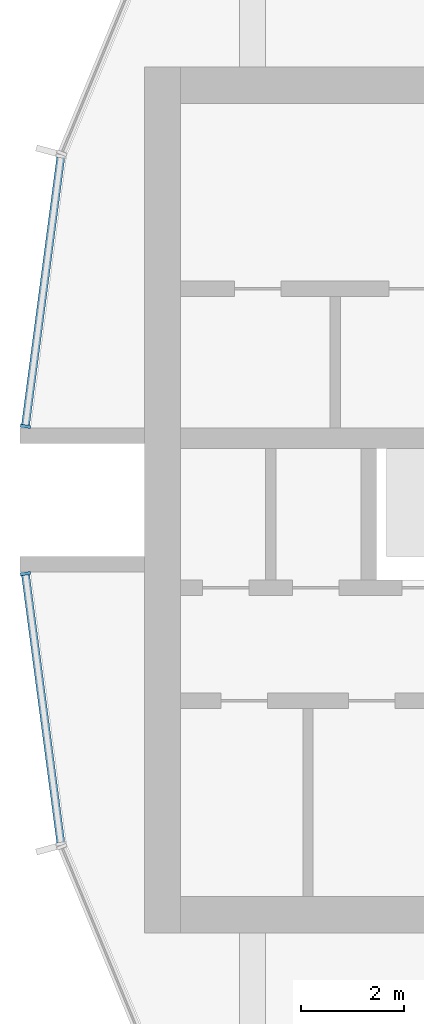
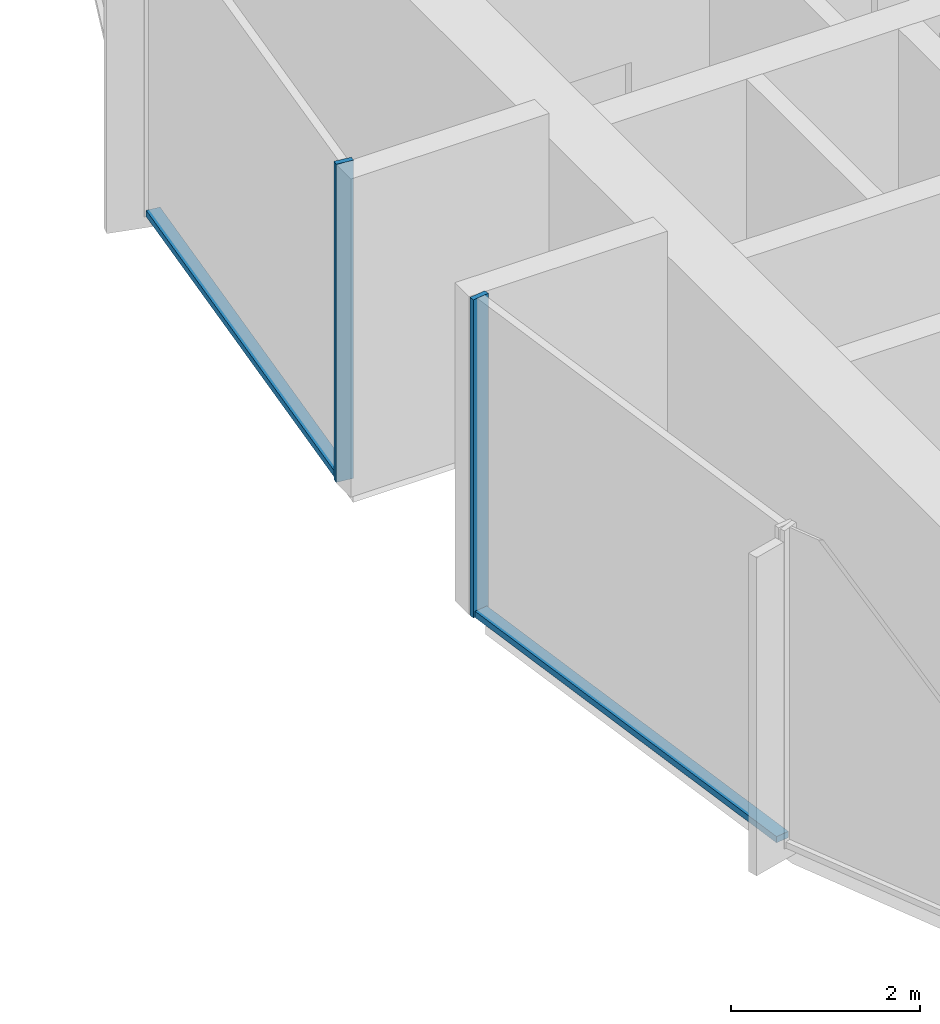
# One storey, part 3 of 15: 4 members, 2 elements without a shape of their own.
"""IFC4 building model written with IfcOpenShell, lengths in metres."""

from ifc_helpers import new_model, si_unit, direction, frame, origin, origin_2d, place, context, subcontext, project, spatial, rectangle, extrude, material, layer, layer_set, material_profile, profile_set, type_object, element, aggregate, save


model = new_model("IFC4")

# Units and contexts
model_context = context("Model", 3, precision=1e-05, world=origin(), true_north=direction((0.0, 1.0)))
body_context = subcontext(model_context, "Body", "Model", "MODEL_VIEW")
ifc_project = project(units=[si_unit("LENGTHUNIT", "METRE"), si_unit("AREAUNIT", "SQUARE_METRE"), si_unit("VOLUMEUNIT", "CUBIC_METRE"), si_unit("PLANEANGLEUNIT", "RADIAN"), si_unit("MASSUNIT", "GRAM", prefix="KILO")], contexts=[model_context])

# Site, building, storey
site_placement = place(None, origin())
site = spatial("IfcSite", under=ifc_project, at=site_placement, CompositionType="ELEMENT")
building_placement = place(site_placement, origin())
building = spatial("IfcBuilding", under=site, at=building_placement, Name="Torre Brocal", CompositionType="ELEMENT")
storey_placement = place(building_placement, frame((0.0, 0.0, 161.800048828125)))
storey = spatial("IfcBuildingStorey", under=building, at=storey_placement, Name="L37", CompositionType="ELEMENT", Elevation=161.800048828125)

# Curtain wall, member
ifc_material_1 = material(Name="Aluminium and glass", Category="aluminium")
ifc_layer = layer(ifc_material_1, 0.199951171875)
ifc_layer_set = layer_set([ifc_layer], Name="Aluminium and glass")
curtain_wall_type = type_object("IfcCurtainWallType", Name="CW-1B CURTAIN WALL 4100 HIGH", PredefinedType="NOTDEFINED", material=ifc_layer_set)
curtain_wall_1_placement = place(storey_placement, origin())
curtain_wall_1 = element("IfcCurtainWall", 1, at=curtain_wall_1_placement, inside=storey, type_object=curtain_wall_type, Name="CW-1B RUN 12", PredefinedType="NOTDEFINED")
ifc_material_2 = material(Name="Aluminium, dark anodised", Category="aluminium")
ifc_material_profile_1 = material_profile(ifc_material_2, rectangle(XDim=0.199951171875, YDim=0.06005859375, at=origin_2d()), Name="CW-1B MULLION 60X200")
ifc_profile_set_1 = profile_set([ifc_material_profile_1], Name="Aluminium, dark anodised")
member_type_1 = type_object("IfcMemberType", Name="CW-1B MULLION 60X200", PredefinedType="MULLION", material=ifc_profile_set_1)
member_1_placement = place(storey_placement, frame((54.2890625, 76.4296875, 0.0), z_axis=(0.0, 0.0, 1.0), x_axis=(0.991444861374, -0.13052619222, 0.0)))
member_1 = element("IfcMember", 2, at=member_1_placement, type_object=member_type_1, Name="CW1B-4 mullion 2", PredefinedType="MULLION", context=body_context, shape_type="SweptSolid", body=[
    extrude(rectangle(XDim=0.199951171875, YDim=0.06005859375, at=origin_2d()), origin(), (0.0, 0.0, 1.0), 4.099853515625),
])

curtain_wall_2_placement = place(storey_placement, origin())
curtain_wall_2 = element("IfcCurtainWall", 3, at=curtain_wall_2_placement, inside=storey, type_object=curtain_wall_type, Name="CW-1B RUN 13", PredefinedType="NOTDEFINED")
member_2_placement = place(storey_placement, frame((54.2890625, 73.5703125, 0.0), z_axis=(0.0, 0.0, 1.0), x_axis=(0.991444861374, 0.13052619222, 0.0)))
member_2 = element("IfcMember", 4, at=member_2_placement, type_object=member_type_1, Name="CW1B-4 mullion 1", PredefinedType="MULLION", context=body_context, shape_type="SweptSolid", body=[
    extrude(rectangle(XDim=0.199951171875, YDim=0.06005859375, at=origin_2d()), origin(), (0.0, 0.0, 1.0), 4.099853515625),
])

# Member
ifc_material_3 = material(Name="Aluminium, dark anodised", Category="aluminium")
ifc_material_profile_2 = material_profile(ifc_material_3, rectangle(XDim=0.159912109375, YDim=0.080078125, at=origin_2d()), Name="CW-1B TRANSOM 160X80")
ifc_profile_set_2 = profile_set([ifc_material_profile_2], Name="Aluminium, dark anodised")
member_type_2 = type_object("IfcMemberType", Name="CW-1B TRANSOM 160X80", PredefinedType="USERDEFINED", material=ifc_profile_set_2)
member_3_placement = place(storey_placement, frame((54.9755859375, 81.643798828125, 0.0400390625), z_axis=(-0.130542677827, -0.991442690863, 0.0), x_axis=(0.991442690863, -0.130542677827, 0.0)))
member_3 = element("IfcMember", 5, at=member_3_placement, type_object=member_type_2, Name="CW1B-4 transom 1.1", ObjectType="TRANSOM", PredefinedType="USERDEFINED", context=body_context, shape_type="SweptSolid", body=[
    extrude(rectangle(XDim=0.159912109375, YDim=0.080078125, at=origin_2d()), origin(), (0.0, 0.0, 1.0), 5.22900390625),
])

aggregate(curtain_wall_1, [member_1, member_3])

member_4_placement = place(storey_placement, frame((54.29296875, 73.54052734375, 0.0400390625), z_axis=(0.130542677827, -0.991442690863, 0.0), x_axis=(0.991442690863, 0.130542677827, 0.0)))
member_4 = element("IfcMember", 6, at=member_4_placement, type_object=member_type_2, Name="CW1B-4 transom 1.1", ObjectType="TRANSOM", PredefinedType="USERDEFINED", context=body_context, shape_type="SweptSolid", body=[
    extrude(rectangle(XDim=0.159912109375, YDim=0.080078125, at=origin_2d()), origin(), (0.0, 0.0, 1.0), 5.22900390625),
])

aggregate(curtain_wall_2, [member_2, member_4])

save(model, "model.ifc")
